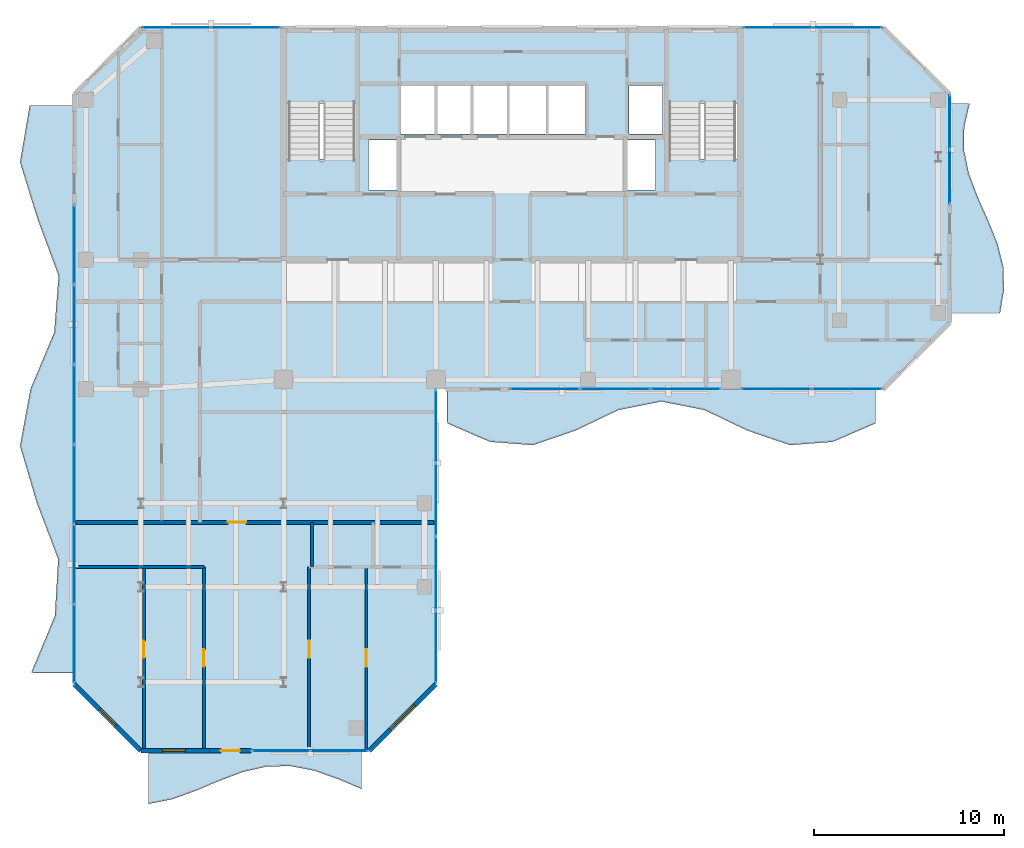
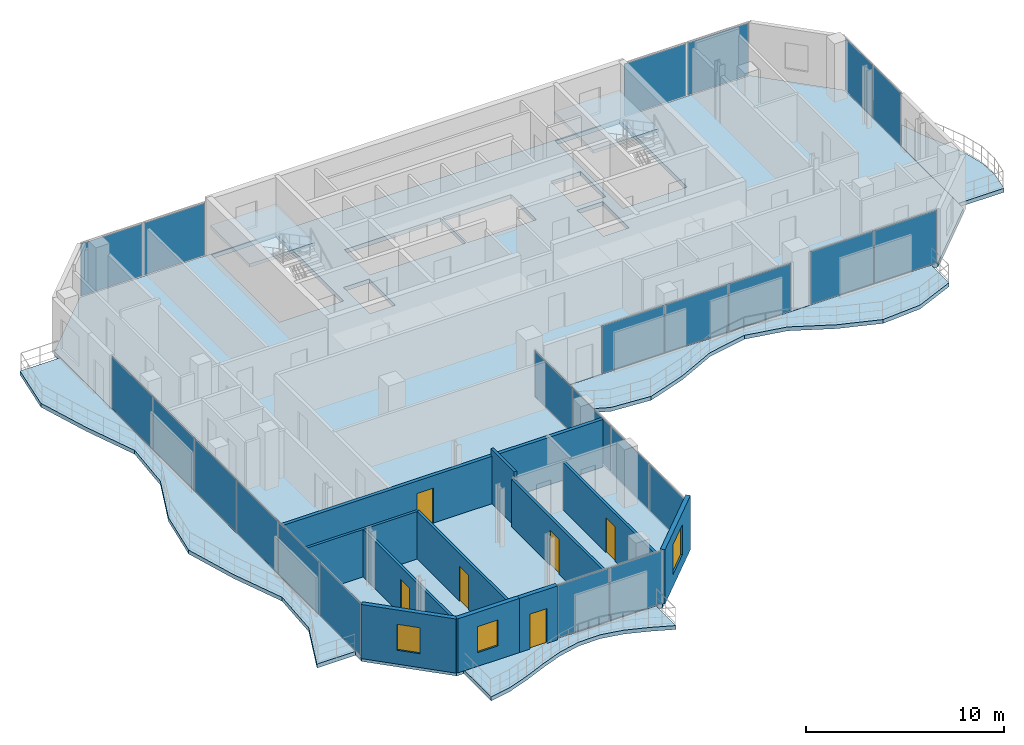
# One storey, part 17 of 23: 23 plates, 11 walls, 7 slabs, 6 doors, 3 windows, 9 openings, 10 elements without a shape of their own.
"""IFC4 building model written with IfcOpenShell, lengths in metres."""

from ifc_helpers import new_model, si_unit, direction, frame, frame_2d, origin, origin_2d, place, context, subcontext, project, spatial, polyline, rectangle, outline, extrude, material, layer, layer_set, type_object, element, fill, aggregate, save


model = new_model("IFC4")

# Units and contexts
model_context = context("Model", 3, precision=1e-05, world=origin(), true_north=direction((0.0, 1.0)))
body_context = subcontext(model_context, "Body", "Model", "MODEL_VIEW")
ifc_project = project(units=[si_unit("LENGTHUNIT", "METRE"), si_unit("AREAUNIT", "SQUARE_METRE"), si_unit("VOLUMEUNIT", "CUBIC_METRE"), si_unit("PLANEANGLEUNIT", "RADIAN"), si_unit("MASSUNIT", "GRAM", prefix="KILO")], contexts=[model_context])

# Site, building, storey
site_placement = place(None, origin())
site = spatial("IfcSite", under=ifc_project, at=site_placement, CompositionType="ELEMENT")
building_placement = place(site_placement, origin())
building = spatial("IfcBuilding", under=site, at=building_placement, Name="Catumbela Crestline Tower", CompositionType="ELEMENT")
storey_placement = place(building_placement, frame((0.0, 0.0, 190.2)))
storey = spatial("IfcBuildingStorey", under=building, at=storey_placement, Name="L49", CompositionType="ELEMENT", Elevation=190.2)

# Curtain wall, plates
ifc_material_1 = material(Name="Aluminium alloy AW-6060-T66", Category="aluminium")
ifc_layer_1 = layer(ifc_material_1, 0.18, Name="Aluminium alloy AW-6060-T66")
ifc_layer_set_1 = layer_set([ifc_layer_1], Name="Aluminium alloy AW-6060-T66")
curtain_wall_type = type_object("IfcCurtainWallType", Name="CWU-Z3", PredefinedType="USERDEFINED", material=ifc_layer_set_1)
curtain_wall_1_placement = place(storey_placement, origin())
curtain_wall_1 = element("IfcCurtainWall", 1, at=curtain_wall_1_placement, inside=storey, type_object=curtain_wall_type, Name="L49 Unitised Curtain Wall CW-L49-E0S2", ObjectType="UNITISED", PredefinedType="USERDEFINED")
ifc_material_2 = material(Name="Low-E laminated solar-control double glazing", Category="glass")
ifc_layer_2 = layer(ifc_material_2, 0.036, Name="Low-E laminated solar-control double glazing")
ifc_layer_set_2 = layer_set([ifc_layer_2], Name="Low-E laminated solar-control double glazing")
plate_type = type_object("IfcPlateType", Name="PNL-GLZ-Z3", PredefinedType="CURTAIN_PANEL", material=ifc_layer_set_2)
plate_1_placement = place(storey_placement, frame((15.8662, 5.0, 0.06), z_axis=(0.0, 0.0, 1.0), x_axis=(1.0, 0.0, 0.0)))
plate_1 = element("IfcPlate", 2, at=plate_1_placement, type_object=plate_type, Name="CWU-Z3 panel 1.1", PredefinedType="CURTAIN_PANEL", context=body_context, shape_type="SweptSolid", body=[
    extrude(rectangle(XDim=3.0025, YDim=0.034, at=origin_2d()), origin(), (0.0, 0.0, 1.0), 3.21),
])
plate_2_placement = place(storey_placement, frame((18.9338, 5.0, 0.06), z_axis=(0.0, 0.0, 1.0), x_axis=(1.0, 0.0, 0.0)))
plate_2 = element("IfcPlate", 3, at=plate_2_placement, type_object=plate_type, Name="CWU-Z3 panel 2.1", PredefinedType="CURTAIN_PANEL", context=body_context, shape_type="SweptSolid", body=[
    extrude(rectangle(XDim=3.0025, YDim=0.034, at=origin_2d()), origin(), (0.0, 0.0, 1.0), 3.21),
])
aggregate(curtain_wall_1, [plate_1, plate_2])

curtain_wall_2_placement = place(storey_placement, origin())
curtain_wall_2 = element("IfcCurtainWall", 4, at=curtain_wall_2_placement, inside=storey, type_object=curtain_wall_type, Name="L49 Unitised Curtain Wall CW-L49-E2S1", ObjectType="UNITISED", PredefinedType="USERDEFINED")
plate_3_placement = place(storey_placement, frame((24.0, 10.4538, 0.06), z_axis=(0.0, 0.0, 1.0), x_axis=(0.0, 1.0, 0.0)))
plate_3 = element("IfcPlate", 5, at=plate_3_placement, type_object=plate_type, Name="CWU-Z3 panel 1.1", PredefinedType="CURTAIN_PANEL", context=body_context, shape_type="SweptSolid", body=[
    extrude(rectangle(XDim=3.7775, YDim=0.034, at=origin_2d()), origin(), (0.0, 0.0, 1.0), 2.8),
])
plate_4_placement = place(storey_placement, frame((24.0, 14.3125, 0.06), z_axis=(0.0, 0.0, 1.0), x_axis=(0.0, 1.0, 0.0)))
plate_4 = element("IfcPlate", 6, at=plate_4_placement, type_object=plate_type, Name="CWU-Z3 panel 2.1", PredefinedType="CURTAIN_PANEL", context=body_context, shape_type="SweptSolid", body=[
    extrude(rectangle(XDim=3.81, YDim=0.034, at=origin_2d()), origin(), (0.0, 0.0, 1.0), 2.8),
])
plate_5_placement = place(storey_placement, frame((24.0, 18.1875, 0.06), z_axis=(0.0, 0.0, 1.0), x_axis=(0.0, 1.0, 0.0)))
plate_5 = element("IfcPlate", 7, at=plate_5_placement, type_object=plate_type, Name="CWU-Z3 panel 3.1", PredefinedType="CURTAIN_PANEL", context=body_context, shape_type="SweptSolid", body=[
    extrude(rectangle(XDim=3.81, YDim=0.034, at=origin_2d()), origin(), (0.0, 0.0, 1.0), 2.8),
])
plate_6_placement = place(storey_placement, frame((24.0, 22.0462, 0.06), z_axis=(0.0, 0.0, 1.0), x_axis=(0.0, 1.0, 0.0)))
plate_6 = element("IfcPlate", 8, at=plate_6_placement, type_object=plate_type, Name="CWU-Z3 panel 4.1", PredefinedType="CURTAIN_PANEL", context=body_context, shape_type="SweptSolid", body=[
    extrude(rectangle(XDim=3.7775, YDim=0.034, at=origin_2d()), origin(), (0.0, 0.0, 1.0), 2.8),
])
aggregate(curtain_wall_2, [plate_3, plate_4, plate_5, plate_6])

curtain_wall_3_placement = place(storey_placement, origin())
curtain_wall_3 = element("IfcCurtainWall", 9, at=curtain_wall_3_placement, inside=storey, type_object=curtain_wall_type, Name="L49 Unitised Curtain Wall CW-L49-E3S2", ObjectType="UNITISED", PredefinedType="USERDEFINED")
plate_7_placement = place(storey_placement, frame((29.7246, 24.0, 0.06), z_axis=(0.0, 0.0, 1.0), x_axis=(1.0, 0.0, 0.0)))
plate_7 = element("IfcPlate", 10, at=plate_7_placement, type_object=plate_type, Name="CWU-Z3 panel 1.1", PredefinedType="CURTAIN_PANEL", context=body_context, shape_type="SweptSolid", body=[
    extrude(rectangle(XDim=3.6192, YDim=0.034, at=origin_2d()), origin(), (0.0, 0.0, 1.0), 2.9),
])
plate_8_placement = place(storey_placement, frame((33.425, 24.0, 0.06), z_axis=(0.0, 0.0, 1.0), x_axis=(1.0, 0.0, 0.0)))
plate_8 = element("IfcPlate", 11, at=plate_8_placement, type_object=plate_type, Name="CWU-Z3 panel 2.1", PredefinedType="CURTAIN_PANEL", context=body_context, shape_type="SweptSolid", body=[
    extrude(rectangle(XDim=3.6517, YDim=0.034, at=origin_2d()), origin(), (0.0, 0.0, 1.0), 2.9),
])
plate_9_placement = place(storey_placement, frame((37.1254, 24.0, 0.06), z_axis=(0.0, 0.0, 1.0), x_axis=(1.0, 0.0, 0.0)))
plate_9 = element("IfcPlate", 12, at=plate_9_placement, type_object=plate_type, Name="CWU-Z3 panel 3.1", PredefinedType="CURTAIN_PANEL", context=body_context, shape_type="SweptSolid", body=[
    extrude(rectangle(XDim=3.6192, YDim=0.034, at=origin_2d()), origin(), (0.0, 0.0, 1.0), 2.9),
])
aggregate(curtain_wall_3, [plate_7, plate_8, plate_9])

curtain_wall_4_placement = place(storey_placement, origin())
curtain_wall_4 = element("IfcCurtainWall", 13, at=curtain_wall_4_placement, inside=storey, type_object=curtain_wall_type, Name="L49 Unitised Curtain Wall CW-L49-E3S3", ObjectType="UNITISED", PredefinedType="USERDEFINED")
plate_10_placement = place(storey_placement, frame((41.8912, 24.0, 0.06), z_axis=(0.0, 0.0, 1.0), x_axis=(1.0, 0.0, 0.0)))
plate_10 = element("IfcPlate", 14, at=plate_10_placement, type_object=plate_type, Name="CWU-Z3 panel 1.1", PredefinedType="CURTAIN_PANEL", context=body_context, shape_type="SweptSolid", body=[
    extrude(rectangle(XDim=3.6525, YDim=0.034, at=origin_2d()), origin(), (0.0, 0.0, 1.0), 3.21),
])
plate_11_placement = place(storey_placement, frame((45.6088, 24.0, 0.06), z_axis=(0.0, 0.0, 1.0), x_axis=(1.0, 0.0, 0.0)))
plate_11 = element("IfcPlate", 15, at=plate_11_placement, type_object=plate_type, Name="CWU-Z3 panel 2.1", PredefinedType="CURTAIN_PANEL", context=body_context, shape_type="SweptSolid", body=[
    extrude(rectangle(XDim=3.6525, YDim=0.034, at=origin_2d()), origin(), (0.0, 0.0, 1.0), 3.21),
])
aggregate(curtain_wall_4, [plate_10, plate_11])

curtain_wall_5_placement = place(storey_placement, origin())
curtain_wall_5 = element("IfcCurtainWall", 16, at=curtain_wall_5_placement, inside=storey, type_object=curtain_wall_type, Name="L49 Unitised Curtain Wall CW-L49-E5S2", ObjectType="UNITISED", PredefinedType="USERDEFINED")
plate_12_placement = place(storey_placement, frame((51.0, 35.1662, 0.06), z_axis=(0.0, 0.0, 1.0), x_axis=(0.0, 1.0, 0.0)))
plate_12 = element("IfcPlate", 17, at=plate_12_placement, type_object=plate_type, Name="CWU-Z3 panel 1.1", PredefinedType="CURTAIN_PANEL", context=body_context, shape_type="SweptSolid", body=[
    extrude(rectangle(XDim=2.8025, YDim=0.034, at=origin_2d()), origin(), (0.0, 0.0, 1.0), 3.21),
])
plate_13_placement = place(storey_placement, frame((51.0, 38.0338, 0.06), z_axis=(0.0, 0.0, 1.0), x_axis=(0.0, 1.0, 0.0)))
plate_13 = element("IfcPlate", 18, at=plate_13_placement, type_object=plate_type, Name="CWU-Z3 panel 2.1", PredefinedType="CURTAIN_PANEL", context=body_context, shape_type="SweptSolid", body=[
    extrude(rectangle(XDim=2.8025, YDim=0.034, at=origin_2d()), origin(), (0.0, 0.0, 1.0), 3.21),
])
aggregate(curtain_wall_5, [plate_12, plate_13])

curtain_wall_6_placement = place(storey_placement, origin())
curtain_wall_6 = element("IfcCurtainWall", 19, at=curtain_wall_6_placement, inside=storey, type_object=curtain_wall_type, Name="L49 Unitised Curtain Wall CW-L49-E7S1", ObjectType="UNITISED", PredefinedType="USERDEFINED")
plate_14_placement = place(storey_placement, frame((45.6438, 43.0, 0.06), z_axis=(0.0, 0.0, 1.0), x_axis=(-1.0, 0.0, 0.0)))
plate_14 = element("IfcPlate", 20, at=plate_14_placement, type_object=plate_type, Name="CWU-Z3 panel 1.1", PredefinedType="CURTAIN_PANEL", context=body_context, shape_type="SweptSolid", body=[
    extrude(rectangle(XDim=3.5825, YDim=0.034, at=origin_2d()), origin(), (0.0, 0.0, 1.0), 3.21),
])
plate_15_placement = place(storey_placement, frame((41.9963, 43.0, 0.06), z_axis=(0.0, 0.0, 1.0), x_axis=(-1.0, 0.0, 0.0)))
plate_15 = element("IfcPlate", 21, at=plate_15_placement, type_object=plate_type, Name="CWU-Z3 panel 2.1", PredefinedType="CURTAIN_PANEL", context=body_context, shape_type="SweptSolid", body=[
    extrude(rectangle(XDim=3.5825, YDim=0.034, at=origin_2d()), origin(), (0.0, 0.0, 1.0), 3.21),
])
aggregate(curtain_wall_6, [plate_14, plate_15])

curtain_wall_7_placement = place(storey_placement, origin())
curtain_wall_7 = element("IfcCurtainWall", 22, at=curtain_wall_7_placement, inside=storey, type_object=curtain_wall_type, Name="L49 Unitised Curtain Wall CW-L49-E7S2", ObjectType="UNITISED", PredefinedType="USERDEFINED")
plate_16_placement = place(storey_placement, frame((14.0038, 43.0, 0.06), z_axis=(0.0, 0.0, 1.0), x_axis=(-1.0, 0.0, 0.0)))
plate_16 = element("IfcPlate", 23, at=plate_16_placement, type_object=plate_type, Name="CWU-Z3 panel 1.1", PredefinedType="CURTAIN_PANEL", context=body_context, shape_type="SweptSolid", body=[
    extrude(rectangle(XDim=3.5825, YDim=0.034, at=origin_2d()), origin(), (0.0, 0.0, 1.0), 3.21),
])
plate_17_placement = place(storey_placement, frame((10.3562, 43.0, 0.06), z_axis=(0.0, 0.0, 1.0), x_axis=(-1.0, 0.0, 0.0)))
plate_17 = element("IfcPlate", 24, at=plate_17_placement, type_object=plate_type, Name="CWU-Z3 panel 2.1", PredefinedType="CURTAIN_PANEL", context=body_context, shape_type="SweptSolid", body=[
    extrude(rectangle(XDim=3.5825, YDim=0.034, at=origin_2d()), origin(), (0.0, 0.0, 1.0), 3.21),
])
aggregate(curtain_wall_7, [plate_16, plate_17])

curtain_wall_8_placement = place(storey_placement, origin())
curtain_wall_8 = element("IfcCurtainWall", 25, at=curtain_wall_8_placement, inside=storey, type_object=curtain_wall_type, Name="L49 Unitised Curtain Wall CW-L49-E9S2", ObjectType="UNITISED", PredefinedType="USERDEFINED")
plate_18_placement = place(storey_placement, frame((5.0, 31.5838, 0.06), z_axis=(0.0, 0.0, 1.0), x_axis=(0.0, -1.0, 0.0)))
plate_18 = element("IfcPlate", 26, at=plate_18_placement, type_object=plate_type, Name="CWU-Z3 panel 1.1", PredefinedType="CURTAIN_PANEL", context=body_context, shape_type="SweptSolid", body=[
    extrude(rectangle(XDim=4.1025, YDim=0.034, at=origin_2d()), origin(), (0.0, 0.0, 1.0), 3.21),
])
plate_19_placement = place(storey_placement, frame((5.0, 27.4, 0.06), z_axis=(0.0, 0.0, 1.0), x_axis=(0.0, -1.0, 0.0)))
plate_19 = element("IfcPlate", 27, at=plate_19_placement, type_object=plate_type, Name="CWU-Z3 panel 2.1", PredefinedType="CURTAIN_PANEL", context=body_context, shape_type="SweptSolid", body=[
    extrude(rectangle(XDim=4.135, YDim=0.034, at=origin_2d()), origin(), (0.0, 0.0, 1.0), 3.21),
])
plate_20_placement = place(storey_placement, frame((5.0, 23.2, 0.06), z_axis=(0.0, 0.0, 1.0), x_axis=(0.0, -1.0, 0.0)))
plate_20 = element("IfcPlate", 28, at=plate_20_placement, type_object=plate_type, Name="CWU-Z3 panel 3.1", PredefinedType="CURTAIN_PANEL", context=body_context, shape_type="SweptSolid", body=[
    extrude(rectangle(XDim=4.135, YDim=0.034, at=origin_2d()), origin(), (0.0, 0.0, 1.0), 3.21),
])
plate_21_placement = place(storey_placement, frame((5.0, 19.0, 0.06), z_axis=(0.0, 0.0, 1.0), x_axis=(0.0, -1.0, 0.0)))
plate_21 = element("IfcPlate", 29, at=plate_21_placement, type_object=plate_type, Name="CWU-Z3 panel 4.1", PredefinedType="CURTAIN_PANEL", context=body_context, shape_type="SweptSolid", body=[
    extrude(rectangle(XDim=4.135, YDim=0.034, at=origin_2d()), origin(), (0.0, 0.0, 1.0), 3.21),
])
plate_22_placement = place(storey_placement, frame((5.0, 14.8, 0.06), z_axis=(0.0, 0.0, 1.0), x_axis=(0.0, -1.0, 0.0)))
plate_22 = element("IfcPlate", 30, at=plate_22_placement, type_object=plate_type, Name="CWU-Z3 panel 5.1", PredefinedType="CURTAIN_PANEL", context=body_context, shape_type="SweptSolid", body=[
    extrude(rectangle(XDim=4.135, YDim=0.034, at=origin_2d()), origin(), (0.0, 0.0, 1.0), 3.21),
])
plate_23_placement = place(storey_placement, frame((5.0, 10.6163, 0.06), z_axis=(0.0, 0.0, 1.0), x_axis=(0.0, -1.0, 0.0)))
plate_23 = element("IfcPlate", 31, at=plate_23_placement, type_object=plate_type, Name="CWU-Z3 panel 6.1", PredefinedType="CURTAIN_PANEL", context=body_context, shape_type="SweptSolid", body=[
    extrude(rectangle(XDim=4.1025, YDim=0.034, at=origin_2d()), origin(), (0.0, 0.0, 1.0), 3.21),
])
aggregate(curtain_wall_8, [plate_18, plate_19, plate_20, plate_21, plate_22, plate_23])

# Stair, slab
ifc_material_3 = material(Name="Concrete C45/55", Category="concrete")
stair_type = type_object("IfcStairType", Name="ST-DLG", PredefinedType="HALF_TURN_STAIR", material=ifc_material_3)
stair_1_placement = place(storey_placement, origin())
stair_1 = element("IfcStair", 32, at=stair_1_placement, inside=storey, type_object=stair_type, Name="L49 West Core Pressurised Exit Stair ST-01", PredefinedType="HALF_TURN_STAIR")
ifc_layer_3 = layer(ifc_material_3, 0.2, Name="Concrete C45/55")
ifc_layer_set_3 = layer_set([ifc_layer_3], Name="Concrete C45/55")
slab_type_1 = type_object("IfcSlabType", Name="SL-LND", PredefinedType="LANDING", material=ifc_layer_set_3)
slab_1_placement = place(storey_placement, frame((0.0, 0.0, 1.6)))
slab_1 = element("IfcSlab", 33, at=slab_1_placement, type_object=slab_type_1, Name="ST-01 landing 1", PredefinedType="LANDING", context=body_context, shape_type="SweptSolid", body=[
    extrude(outline(polyline([(19.91, 39.02), (19.91, 42.96), (16.09, 42.96), (16.09, 39.02), (19.91, 39.02)])), origin(), (0.0, 0.0, 1.0), 0.2),
])
aggregate(stair_1, [slab_1])

stair_2_placement = place(storey_placement, origin())
stair_2 = element("IfcStair", 34, at=stair_2_placement, inside=storey, type_object=stair_type, Name="L49 East Core Pressurised Exit Stair ST-02", PredefinedType="HALF_TURN_STAIR")
slab_2_placement = place(storey_placement, frame((0.0, 0.0, 1.6)))
slab_2 = element("IfcSlab", 35, at=slab_2_placement, type_object=slab_type_1, Name="ST-02 landing 1", PredefinedType="LANDING", context=body_context, shape_type="SweptSolid", body=[
    extrude(outline(polyline([(39.91, 39.02), (39.91, 42.96), (36.09, 42.96), (36.09, 39.02), (39.91, 39.02)])), origin(), (0.0, 0.0, 1.0), 0.2),
])
aggregate(stair_2, [slab_2])

# Slabs
ifc_layer_4 = layer(ifc_material_3, 0.26, Name="Concrete C45/55")
ifc_layer_set_4 = layer_set([ifc_layer_4], Name="Concrete C45/55")
slab_type_2 = type_object("IfcSlabType", Name="SL-260", PredefinedType="FLOOR", material=ifc_layer_set_4)
slab_3_placement = place(storey_placement, frame((0.0, 0.0, -0.26)))
element("IfcSlab", 36, at=slab_3_placement, inside=storey, type_object=slab_type_2, Name="L49 Structural Floor Slab", PredefinedType="FLOOR", context=body_context, shape_type="SweptSolid", body=[
    extrude(outline(polyline([(8.5, 5.0), (20.5, 5.0), (24.0, 8.5), (24.0, 24.0), (47.5, 24.0), (51.0, 27.5), (51.0, 39.5), (47.5, 43.0), (8.5, 43.0), (5.0, 39.5), (5.0, 8.5), (8.5, 5.0)]), holes=[polyline([(16.13, 36.08), (19.87, 36.08), (19.87, 42.92), (16.13, 42.92), (16.13, 36.08)]), polyline([(36.13, 36.08), (39.87, 36.08), (39.87, 42.92), (36.13, 42.92), (36.13, 36.08)]), polyline([(22.15, 37.4), (27.75, 37.4), (27.75, 39.95), (22.15, 39.95), (22.15, 37.4)]), polyline([(27.85, 37.4), (31.85, 37.4), (31.85, 39.95), (27.85, 39.95), (27.85, 37.4)]), polyline([(20.45, 34.45), (21.95, 34.45), (21.95, 37.1), (20.45, 37.1), (20.45, 34.45)]), polyline([(34.05, 34.45), (35.55, 34.45), (35.55, 37.1), (34.05, 37.1), (34.05, 34.45)]), polyline([(34.15, 37.4), (35.9, 37.4), (35.9, 39.95), (34.15, 39.95), (34.15, 37.4)])]), origin(), (0.0, 0.0, 1.0), 0.26),
])
ifc_layer_5 = layer(ifc_material_3, 0.24, Name="Concrete C45/55")
ifc_layer_set_5 = layer_set([ifc_layer_5], Name="Concrete C45/55")
slab_type_3 = type_object("IfcSlabType", Name="SB-240W", PredefinedType="USERDEFINED", material=ifc_layer_set_5)
slab_4_placement = place(storey_placement, frame((0.0, 0.0, -0.24)))
element("IfcSlab", 37, at=slab_4_placement, inside=storey, type_object=slab_type_3, Name="L49 Cantilevered Wave Balcony Slab SPINE-S", ObjectType="BALCONY", PredefinedType="USERDEFINED", context=body_context, shape_type="SweptSolid", body=[
    extrude(outline(polyline([(24.6, 22.2), (26.85, 21.2292), (29.1, 21.0587), (31.35, 21.8292), (33.6, 22.9053), (35.85, 23.35), (38.1, 22.9053), (40.35, 21.8292), (42.6, 21.0587), (44.85, 21.2292), (47.1, 22.2), (47.1, 23.99), (24.6, 23.99), (24.6, 22.2)])), origin(), (0.0, 0.0, 1.0), 0.24),
])
slab_5_placement = place(storey_placement, frame((0.0, 0.0, -0.24)))
element("IfcSlab", 38, at=slab_5_placement, inside=storey, type_object=slab_type_3, Name="L49 Cantilevered Wave Balcony Slab SPINE-E", ObjectType="BALCONY", PredefinedType="USERDEFINED", context=body_context, shape_type="SweptSolid", body=[
    extrude(outline(polyline([(51.01, 28.0), (53.646, 28.0), (53.85, 29.2222), (53.8134, 30.4444), (53.5005, 31.6667), (53.0079, 32.8889), (52.4621, 34.1111), (52.0029, 35.3333), (51.7481, 36.5556), (51.7631, 37.7778), (52.0439, 39.0), (51.01, 39.0), (51.01, 28.0)])), origin(), (0.0, 0.0, 1.0), 0.24),
])
slab_6_placement = place(storey_placement, frame((0.0, 0.0, -0.24)))
element("IfcSlab", 39, at=slab_6_placement, inside=storey, type_object=slab_type_3, Name="L49 Cantilevered Wave Balcony Slab WING-S", ObjectType="BALCONY", PredefinedType="USERDEFINED", context=body_context, shape_type="SweptSolid", body=[
    extrude(outline(polyline([(8.9, 2.2067), (10.1444, 2.454), (11.3889, 2.8995), (12.6333, 3.4248), (13.8778, 3.8904), (15.1222, 4.1726), (16.3667, 4.1965), (17.6111, 3.9556), (18.8556, 3.5141), (20.1, 2.9891), (20.1, 4.99), (8.9, 4.99), (8.9, 2.2067)])), origin(), (0.0, 0.0, 1.0), 0.24),
])
slab_7_placement = place(storey_placement, frame((0.0, 0.0, -0.24)))
element("IfcSlab", 40, at=slab_7_placement, inside=storey, type_object=slab_type_3, Name="L49 Cantilevered Wave Balcony Slab WEST", ObjectType="BALCONY", PredefinedType="USERDEFINED", context=body_context, shape_type="SweptSolid", body=[
    extrude(outline(polyline([(4.99, 38.9), (2.6583, 38.9), (2.15, 35.92), (3.071, 32.94), (4.1761, 29.96), (3.9478, 26.98), (2.6979, 24.0), (2.15, 21.02), (3.0262, 18.04), (4.1559, 15.06), (3.9797, 12.08), (2.7384, 9.1), (4.99, 9.1), (4.99, 38.9)])), origin(), (0.0, 0.0, 1.0), 0.24),
])

# Wall, opening, door
ifc_material_4 = material(Name="Angolan grey-ochre granite", Category="masonry")
ifc_layer_6 = layer(ifc_material_4, 0.25, Name="Angolan grey-ochre granite")
ifc_layer_set_6 = layer_set([ifc_layer_6], Name="Angolan grey-ochre granite")
wall_type_1 = type_object("IfcWallType", Name="WE-250", PredefinedType="STANDARD", material=ifc_layer_set_6)
wall_1_placement = place(storey_placement, frame((12.1, 5.0, 0.0), z_axis=(0.0, 0.0, 1.0), x_axis=(1.0, 0.0, 0.0)))
wall_1 = element("IfcWall", 41, at=wall_1_placement, inside=storey, type_object=wall_type_1, Name="L49 Exterior Threshold Portal Wall DR-L49-WBAL-3", PredefinedType="STANDARD", context=body_context, shape_type="SweptSolid", body=[
    extrude(rectangle(XDim=2.2, YDim=0.25, at=frame_2d((1.1, 0.0))), origin(), (0.0, 0.0, 1.0), 3.33),
])
opening_1_placement = place(wall_1_placement, frame((0.6, 0.0, 0.0)))
opening_1 = element("IfcOpeningElement", 42, at=opening_1_placement, cuts=wall_1, Name="Opening DB-L49-3", PredefinedType="OPENING", context=body_context, shape_type="SweptSolid", body=[
    extrude(rectangle(XDim=1.0, YDim=2.15, at=frame_2d((0.5, 1.075))), frame((0.0, 0.135, 0.0), z_axis=(0.0, -1.0, 0.0), x_axis=(1.0, 0.0, 0.0)), (0.0, 0.0, 1.0), 0.27),
])
door_type_1 = type_object("IfcDoorType", Name="DB-1000", OperationType="NOTDEFINED", PredefinedType="DOOR", material=ifc_material_1)
door_1_placement = place(opening_1_placement, origin())
door_1 = element("IfcDoor", 43, at=door_1_placement, inside=storey, type_object=door_type_1, Name="L49 Wave Balcony Terrace Door 3", OperationType="SINGLE_SWING_LEFT", OverallHeight=2.15, OverallWidth=1.0, PredefinedType="DOOR", context=body_context, shape_type="SweptSolid", body=[
    extrude(rectangle(XDim=1.0, YDim=2.15, at=frame_2d((0.5, 1.075))), frame((0.0, 0.025, 0.0), z_axis=(0.0, -1.0, 0.0), x_axis=(1.0, 0.0, 0.0)), (0.0, 0.0, 1.0), 0.05),
])
fill(opening_1, door_1)

# Wall, opening, window
wall_2_placement = place(storey_placement, frame((8.5, 5.0, 0.0), z_axis=(0.0, 0.0, 1.0), x_axis=(1.0, 0.0, 0.0)))
wall_2 = element("IfcWall", 44, at=wall_2_placement, inside=storey, type_object=wall_type_1, Name="L49 Granite Punched Window Wall 0-1", PredefinedType="STANDARD", context=body_context, shape_type="SweptSolid", body=[
    extrude(rectangle(XDim=3.6, YDim=0.25, at=frame_2d((1.8, 0.0))), origin(), (0.0, 0.0, 1.0), 3.33),
])
opening_2_placement = place(wall_2_placement, frame((1.135, 0.0, 0.85)))
opening_2 = element("IfcOpeningElement", 45, at=opening_2_placement, cuts=wall_2, Name="Opening WN-02", PredefinedType="OPENING", context=body_context, shape_type="SweptSolid", body=[
    extrude(rectangle(XDim=1.2, YDim=1.6, at=frame_2d((0.6, 0.8))), frame((0.0, 0.135, 0.0), z_axis=(0.0, -1.0, 0.0), x_axis=(1.0, 0.0, 0.0)), (0.0, 0.0, 1.0), 0.27),
])
window_type_1 = type_object("IfcWindowType", Name="WO-1200", PartitioningType="SINGLE_PANEL", PredefinedType="WINDOW", material=ifc_material_2)
window_1_placement = place(opening_2_placement, origin())
window_1 = element("IfcWindow", 46, at=window_1_placement, inside=storey, type_object=window_type_1, Name="L49 Facade Vision Window 316", OverallHeight=1.6, OverallWidth=1.2, PartitioningType="SINGLE_PANEL", PredefinedType="WINDOW", context=body_context, shape_type="SweptSolid", body=[
    extrude(rectangle(XDim=1.2, YDim=1.6, at=frame_2d((0.6, 0.8))), frame((0.0, 0.03, 0.0), z_axis=(0.0, -1.0, 0.0), x_axis=(1.0, 0.0, 0.0)), (0.0, 0.0, 1.0), 0.06),
])
fill(opening_2, window_1)

wall_3_placement = place(storey_placement, frame((20.5, 5.0, 0.0), z_axis=(0.0, 0.0, 1.0), x_axis=(0.707106781187, 0.707106781187, 0.0)))
wall_3 = element("IfcWall", 47, at=wall_3_placement, inside=storey, type_object=wall_type_1, Name="L49 Granite Punched Window Wall 1-1", PredefinedType="STANDARD", context=body_context, shape_type="SweptSolid", body=[
    extrude(rectangle(XDim=4.9497, YDim=0.25, at=frame_2d((2.4748, 0.0))), origin(), (0.0, 0.0, 1.0), 3.33),
])
opening_3_placement = place(wall_3_placement, frame((1.5749, 0.0, 0.75)))
opening_3 = element("IfcOpeningElement", 48, at=opening_3_placement, cuts=wall_3, Name="Opening WN-01", PredefinedType="OPENING", context=body_context, shape_type="SweptSolid", body=[
    extrude(rectangle(XDim=1.8, YDim=1.85, at=frame_2d((0.9, 0.925))), frame((0.0, 0.135, 0.0), z_axis=(0.0, -1.0, 0.0), x_axis=(1.0, 0.0, 0.0)), (0.0, 0.0, 1.0), 0.27),
])
window_type_2 = type_object("IfcWindowType", Name="WF-1800", PartitioningType="SINGLE_PANEL", PredefinedType="WINDOW", material=ifc_material_2)
window_2_placement = place(opening_3_placement, origin())
window_2 = element("IfcWindow", 49, at=window_2_placement, inside=storey, type_object=window_type_2, Name="L49 Facade Vision Window 317", OverallHeight=1.85, OverallWidth=1.8, PartitioningType="SINGLE_PANEL", PredefinedType="WINDOW", context=body_context, shape_type="SweptSolid", body=[
    extrude(rectangle(XDim=1.8, YDim=1.85, at=frame_2d((0.9, 0.925))), frame((0.0, 0.03, 0.0), z_axis=(0.0, -1.0, 0.0), x_axis=(1.0, 0.0, 0.0)), (0.0, 0.0, 1.0), 0.06),
])
fill(opening_3, window_2)

wall_4_placement = place(storey_placement, frame((5.0, 8.5, 0.0), z_axis=(0.0, 0.0, 1.0), x_axis=(0.707106781187, -0.707106781187, 0.0)))
wall_4 = element("IfcWall", 50, at=wall_4_placement, inside=storey, type_object=wall_type_1, Name="L49 Granite Punched Window Wall 10-1", PredefinedType="STANDARD", context=body_context, shape_type="SweptSolid", body=[
    extrude(rectangle(XDim=4.9497, YDim=0.25, at=frame_2d((2.4748, 0.0))), origin(), (0.0, 0.0, 1.0), 3.33),
])
opening_4_placement = place(wall_4_placement, frame((1.8748, 0.0, 0.85)))
opening_4 = element("IfcOpeningElement", 51, at=opening_4_placement, cuts=wall_4, Name="Opening WN-02", PredefinedType="OPENING", context=body_context, shape_type="SweptSolid", body=[
    extrude(rectangle(XDim=1.2, YDim=1.6, at=frame_2d((0.6, 0.8))), frame((0.0, 0.135, 0.0), z_axis=(0.0, -1.0, 0.0), x_axis=(1.0, 0.0, 0.0)), (0.0, 0.0, 1.0), 0.27),
])
window_3_placement = place(opening_4_placement, origin())
window_3 = element("IfcWindow", 52, at=window_3_placement, inside=storey, type_object=window_type_1, Name="L49 Facade Vision Window 324", OverallHeight=1.6, OverallWidth=1.2, PartitioningType="SINGLE_PANEL", PredefinedType="WINDOW", context=body_context, shape_type="SweptSolid", body=[
    extrude(rectangle(XDim=1.2, YDim=1.6, at=frame_2d((0.6, 0.8))), frame((0.0, 0.03, 0.0), z_axis=(0.0, -1.0, 0.0), x_axis=(1.0, 0.0, 0.0)), (0.0, 0.0, 1.0), 0.06),
])
fill(opening_4, window_3)

# Walls
ifc_material_5 = material(Name="Acoustic gypsum and mineral-wool partition")
ifc_layer_7 = layer(ifc_material_5, 0.15, Name="Acoustic gypsum and mineral-wool partition")
ifc_layer_set_7 = layer_set([ifc_layer_7], Name="Acoustic gypsum and mineral-wool partition")
wall_type_2 = type_object("IfcWallType", Name="WP-150", PredefinedType="PARTITIONING", material=ifc_layer_set_7)
wall_5_placement = place(storey_placement, frame((17.5, 14.65, 0.0), z_axis=(0.0, 0.0, 1.0), x_axis=(0.0, 1.0, 0.0)))
element("IfcWall", 53, at=wall_5_placement, inside=storey, type_object=wall_type_2, Name="L49 Interior Partition PW-L49-SH1-KBW", PredefinedType="PARTITIONING", context=body_context, shape_type="SweptSolid", body=[
    extrude(rectangle(XDim=2.35, YDim=0.15, at=frame_2d((1.175, 0.0))), origin(), (0.0, 0.0, 1.0), 3.33),
])
wall_6_placement = place(storey_placement, frame((5.1, 14.65, 0.0), z_axis=(0.0, 0.0, 1.0), x_axis=(1.0, 0.0, 0.0)))
element("IfcWall", 54, at=wall_6_placement, inside=storey, type_object=wall_type_2, Name="L49 Interior Partition PW-L49-SH1-BDLH", PredefinedType="PARTITIONING", context=body_context, shape_type="SweptSolid", body=[
    extrude(rectangle(XDim=6.71, YDim=0.15, at=frame_2d((3.355, 0.0))), origin(), (0.0, 0.0, 1.0), 2.92),
])

# Wall, opening, door
wall_7_placement = place(storey_placement, frame((8.66, 5.1, 0.0), z_axis=(0.0, 0.0, 1.0), x_axis=(0.0, 1.0, 0.0)))
wall_7 = element("IfcWall", 55, at=wall_7_placement, inside=storey, type_object=wall_type_2, Name="L49 Interior Partition PW-L49-SH1-BDL", PredefinedType="PARTITIONING", context=body_context, shape_type="SweptSolid", body=[
    extrude(rectangle(XDim=9.55, YDim=0.15, at=frame_2d((4.775, 0.0))), origin(), (0.0, 0.0, 1.0), 2.92),
])
opening_5_placement = place(wall_7_placement, frame((4.7789, 0.0, 0.0)))
opening_5 = element("IfcOpeningElement", 56, at=opening_5_placement, cuts=wall_7, Name="Opening DI-090", PredefinedType="OPENING", context=body_context, shape_type="SweptSolid", body=[
    extrude(rectangle(XDim=0.9, YDim=2.15, at=frame_2d((0.45, 1.075))), frame((0.0, 0.085, 0.0), z_axis=(0.0, -1.0, 0.0), x_axis=(1.0, 0.0, 0.0)), (0.0, 0.0, 1.0), 0.17),
])
door_type_2 = type_object("IfcDoorType", Name="DI-090", OperationType="NOTDEFINED", PredefinedType="DOOR", material=ifc_material_1)
door_2_placement = place(opening_5_placement, origin())
door_2 = element("IfcDoor", 57, at=door_2_placement, inside=storey, type_object=door_type_2, Name="L49 Interior Door DR-L49-SH1-BD1", OperationType="SINGLE_SWING_LEFT", OverallHeight=2.15, OverallWidth=0.9, PredefinedType="DOOR", context=body_context, shape_type="SweptSolid", body=[
    extrude(rectangle(XDim=0.9, YDim=2.15, at=frame_2d((0.45, 1.075))), frame((0.0, 0.025, 0.0), z_axis=(0.0, -1.0, 0.0), x_axis=(1.0, 0.0, 0.0)), (0.0, 0.0, 1.0), 0.05),
])
fill(opening_5, door_2)

wall_8_placement = place(storey_placement, frame((20.34, 5.1, 0.0), z_axis=(0.0, 0.0, 1.0), x_axis=(0.0, 1.0, 0.0)))
wall_8 = element("IfcWall", 58, at=wall_8_placement, inside=storey, type_object=wall_type_2, Name="L49 Interior Partition PW-L49-SH1-BDR", PredefinedType="PARTITIONING", context=body_context, shape_type="SweptSolid", body=[
    extrude(rectangle(XDim=9.55, YDim=0.15, at=frame_2d((4.775, 0.0))), origin(), (0.0, 0.0, 1.0), 2.92),
])
opening_6_placement = place(wall_8_placement, frame((4.325, 0.0, 0.0)))
opening_6 = element("IfcOpeningElement", 59, at=opening_6_placement, cuts=wall_8, Name="Opening DI-090", PredefinedType="OPENING", context=body_context, shape_type="SweptSolid", body=[
    extrude(rectangle(XDim=0.9, YDim=2.15, at=frame_2d((0.45, 1.075))), frame((0.0, 0.085, 0.0), z_axis=(0.0, -1.0, 0.0), x_axis=(1.0, 0.0, 0.0)), (0.0, 0.0, 1.0), 0.17),
])
door_3_placement = place(opening_6_placement, origin())
door_3 = element("IfcDoor", 60, at=door_3_placement, inside=storey, type_object=door_type_2, Name="L49 Interior Door DR-L49-SH1-BD2", OperationType="SINGLE_SWING_RIGHT", OverallHeight=2.15, OverallWidth=0.9, PredefinedType="DOOR", context=body_context, shape_type="SweptSolid", body=[
    extrude(rectangle(XDim=0.9, YDim=2.15, at=frame_2d((0.45, 1.075))), frame((0.0, 0.025, 0.0), z_axis=(0.0, -1.0, 0.0), x_axis=(1.0, 0.0, 0.0)), (0.0, 0.0, 1.0), 0.05),
])
fill(opening_6, door_3)

wall_9_placement = place(storey_placement, frame((17.34, 5.1, 0.0), z_axis=(0.0, 0.0, 1.0), x_axis=(0.0, 1.0, 0.0)))
wall_9 = element("IfcWall", 61, at=wall_9_placement, inside=storey, type_object=wall_type_2, Name="L49 Interior Partition PW-L49-SH1-STW", PredefinedType="PARTITIONING", context=body_context, shape_type="SweptSolid", body=[
    extrude(rectangle(XDim=9.55, YDim=0.15, at=frame_2d((4.775, 0.0))), origin(), (0.0, 0.0, 1.0), 2.92),
])
opening_7_placement = place(wall_9_placement, frame((4.7789, 0.0, 0.0)))
opening_7 = element("IfcOpeningElement", 62, at=opening_7_placement, cuts=wall_9, Name="Opening DI-090", PredefinedType="OPENING", context=body_context, shape_type="SweptSolid", body=[
    extrude(rectangle(XDim=0.9, YDim=2.15, at=frame_2d((0.45, 1.075))), frame((0.0, 0.085, 0.0), z_axis=(0.0, -1.0, 0.0), x_axis=(1.0, 0.0, 0.0)), (0.0, 0.0, 1.0), 0.17),
])
door_4_placement = place(opening_7_placement, origin())
door_4 = element("IfcDoor", 63, at=door_4_placement, inside=storey, type_object=door_type_2, Name="L49 Interior Door DR-L49-SH1-STDY", OperationType="SINGLE_SWING_RIGHT", OverallHeight=2.15, OverallWidth=0.9, PredefinedType="DOOR", context=body_context, shape_type="SweptSolid", body=[
    extrude(rectangle(XDim=0.9, YDim=2.15, at=frame_2d((0.45, 1.075))), frame((0.0, 0.025, 0.0), z_axis=(0.0, -1.0, 0.0), x_axis=(1.0, 0.0, 0.0)), (0.0, 0.0, 1.0), 0.05),
])
fill(opening_7, door_4)

wall_10_placement = place(storey_placement, frame((11.81, 5.1, 0.0), z_axis=(0.0, 0.0, 1.0), x_axis=(0.0, 1.0, 0.0)))
wall_10 = element("IfcWall", 64, at=wall_10_placement, inside=storey, type_object=wall_type_2, Name="L49 Interior Partition PW-L49-SH1-DNW", PredefinedType="PARTITIONING", context=body_context, shape_type="SweptSolid", body=[
    extrude(rectangle(XDim=9.55, YDim=0.15, at=frame_2d((4.775, 0.0))), origin(), (0.0, 0.0, 1.0), 2.92),
])
opening_8_placement = place(wall_10_placement, frame((4.325, 0.0, 0.0)))
opening_8 = element("IfcOpeningElement", 65, at=opening_8_placement, cuts=wall_10, Name="Opening DI-090", PredefinedType="OPENING", context=body_context, shape_type="SweptSolid", body=[
    extrude(rectangle(XDim=0.9, YDim=2.15, at=frame_2d((0.45, 1.075))), frame((0.0, 0.085, 0.0), z_axis=(0.0, -1.0, 0.0), x_axis=(1.0, 0.0, 0.0)), (0.0, 0.0, 1.0), 0.17),
])
door_5_placement = place(opening_8_placement, origin())
door_5 = element("IfcDoor", 66, at=door_5_placement, inside=storey, type_object=door_type_2, Name="L49 Interior Door DR-L49-SH1-FDIN", OperationType="SINGLE_SWING_LEFT", OverallHeight=2.15, OverallWidth=0.9, PredefinedType="DOOR", context=body_context, shape_type="SweptSolid", body=[
    extrude(rectangle(XDim=0.9, YDim=2.15, at=frame_2d((0.45, 1.075))), frame((0.0, 0.025, 0.0), z_axis=(0.0, -1.0, 0.0), x_axis=(1.0, 0.0, 0.0)), (0.0, 0.0, 1.0), 0.05),
])
fill(opening_8, door_5)

ifc_layer_8 = layer(ifc_material_5, 0.2, Name="Acoustic gypsum and mineral-wool partition")
ifc_layer_set_8 = layer_set([ifc_layer_8], Name="Acoustic gypsum and mineral-wool partition")
wall_type_3 = type_object("IfcWallType", Name="WY-200", PredefinedType="PARTITIONING", material=ifc_layer_set_8)
wall_11_placement = place(storey_placement, frame((5.1, 17.0, 0.0), z_axis=(0.0, 0.0, 1.0), x_axis=(1.0, 0.0, 0.0)))
wall_11 = element("IfcWall", 67, at=wall_11_placement, inside=storey, type_object=wall_type_3, Name="L49 Interior Partition PW-L49-SH-WL", PredefinedType="PARTITIONING", context=body_context, shape_type="SweptSolid", body=[
    extrude(rectangle(XDim=18.8, YDim=0.2, at=frame_2d((9.4, 0.0))), origin(), (0.0, 0.0, 1.0), 2.92),
])
opening_9_placement = place(wall_11_placement, frame((7.975, 0.0, 0.0)))
opening_9 = element("IfcOpeningElement", 68, at=opening_9_placement, cuts=wall_11, Name="Opening DF6-095", PredefinedType="OPENING", context=body_context, shape_type="SweptSolid", body=[
    extrude(rectangle(XDim=0.95, YDim=2.15, at=frame_2d((0.475, 1.075))), frame((0.0, 0.11, 0.0), z_axis=(0.0, -1.0, 0.0), x_axis=(1.0, 0.0, 0.0)), (0.0, 0.0, 1.0), 0.22),
])
door_type_3 = type_object("IfcDoorType", Name="DF6-095", OperationType="NOTDEFINED", PredefinedType="DOOR", material=ifc_material_1)
door_6_placement = place(opening_9_placement, origin())
door_6 = element("IfcDoor", 69, at=door_6_placement, inside=storey, type_object=door_type_3, Name="L49 Interior Door DR-L49-SH1-ENT", OperationType="SINGLE_SWING_LEFT", OverallHeight=2.15, OverallWidth=0.95, PredefinedType="DOOR", context=body_context, shape_type="SweptSolid", body=[
    extrude(rectangle(XDim=0.95, YDim=2.15, at=frame_2d((0.475, 1.075))), frame((0.0, 0.025, 0.0), z_axis=(0.0, -1.0, 0.0), x_axis=(1.0, 0.0, 0.0)), (0.0, 0.0, 1.0), 0.05),
])
fill(opening_9, door_6)

save(model, "model.ifc")
